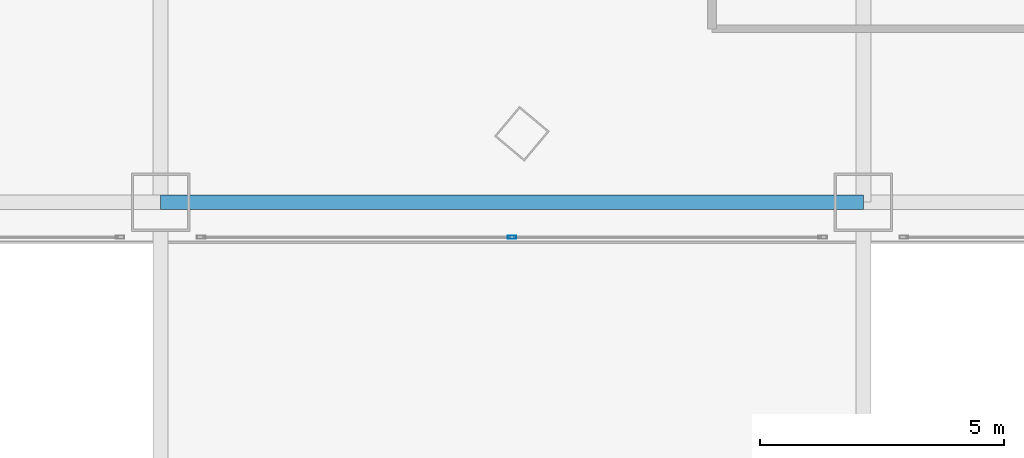
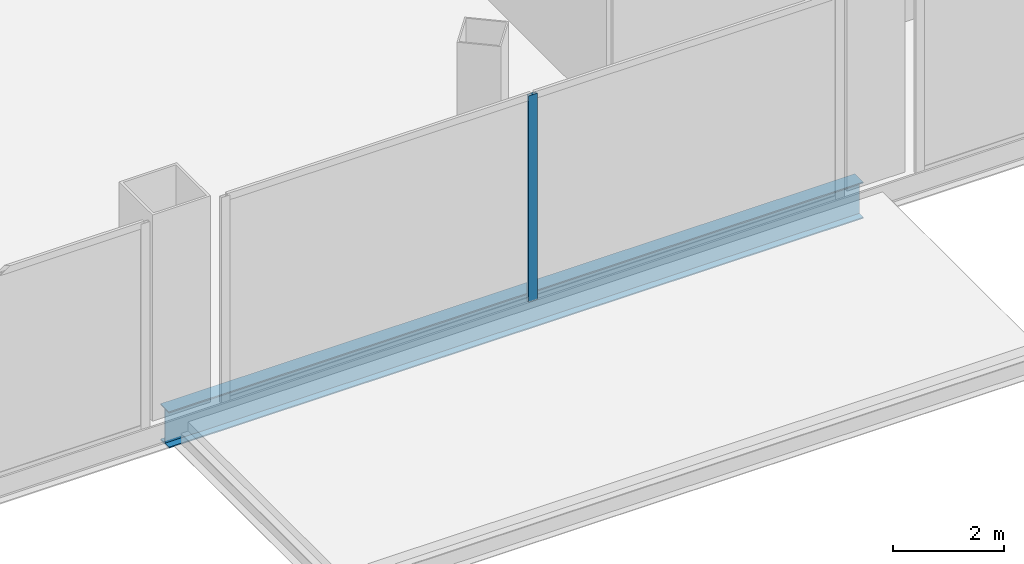
# One storey, part 6 of 42: 1 beam, 1 member, 1 element without a shape of its own.
"""IFC4 building model written with IfcOpenShell, lengths in metres."""

from ifc_helpers import new_model, si_unit, direction, frame, origin, origin_2d, place, context, subcontext, project, spatial, hollow_rectangle, i_section, extrude, source, transform, mapped, material, layer, layer_set, material_profile, profile_set, type_object, element, aggregate, save


model = new_model("IFC4")

# Units and contexts
model_context = context("Model", 3, precision=1e-05, world=origin(), true_north=direction((0.0, 1.0)))
body_context = subcontext(model_context, "Body", "Model", "MODEL_VIEW")
ifc_project = project(units=[si_unit("LENGTHUNIT", "METRE"), si_unit("AREAUNIT", "SQUARE_METRE"), si_unit("VOLUMEUNIT", "CUBIC_METRE"), si_unit("PLANEANGLEUNIT", "RADIAN"), si_unit("MASSUNIT", "GRAM", prefix="KILO"), si_unit("THERMODYNAMICTEMPERATUREUNIT", "KELVIN"), si_unit("POWERUNIT", "WATT")], contexts=[model_context])

# Site, building, storey
site_placement = place(None, origin())
site = spatial("IfcSite", under=ifc_project, at=site_placement, CompositionType="ELEMENT")
building_placement = place(site_placement, origin())
building = spatial("IfcBuilding", under=site, at=building_placement, Name="Yunzhuo Pagoda Commons", CompositionType="ELEMENT")
storey_placement = place(building_placement, frame((0.0, 0.0, 4.800048828125)))
storey = spatial("IfcBuildingStorey", under=building, at=storey_placement, Name="L02", CompositionType="ELEMENT", Elevation=4.800048828125)

# Beam
ifc_material_1 = material(Name="Structural steel Q355B", Category="steel")
ifc_material_profile_1 = material_profile(ifc_material_1, i_section(OverallWidth=0.300048828125, OverallDepth=0.800048828125, WebThickness=0.013916015625, FlangeThickness=0.02587890625, at=origin_2d()), Name="Structural steel Q355B")
ifc_profile_set_1 = profile_set([ifc_material_profile_1], Name="Structural steel Q355B")
beam_type = type_object("IfcBeamType", Name="B-PD2 Beam HN 800x300x14x26", PredefinedType="BEAM", material=ifc_profile_set_1)
shared_shape_1 = source(origin(), body_context, "Body", "SweptSolid", [
    extrude(i_section(OverallWidth=0.300048828125, OverallDepth=0.800048828125, WebThickness=0.013916015625, FlangeThickness=0.02587890625, at=origin_2d()), origin(), (0.0, 0.0, 1.0), 14.400146484375),
])
beam_placement = place(storey_placement, frame((19.199951171875, 6.800048828125, -0.679931640625), z_axis=(1.0, 0.0, 0.0), x_axis=(0.0, 1.0, 0.0)))
element("IfcBeam", 1, at=beam_placement, inside=storey, type_object=beam_type, Name="L02 podium girder EW 1.2", PredefinedType="BEAM", context=body_context, shape_type="MappedRepresentation", body=[
    mapped(shared_shape_1, transform((0.0, 0.0, 0.0), scale=1.0)),
])

# Curtain wall, member
ifc_material_2 = material(Name="Anodized aluminium 6063-T6", Category="aluminium")
ifc_layer = layer(ifc_material_2, 0.179931640625)
ifc_layer_set = layer_set([ifc_layer], Name="Anodized aluminium 6063-T6")
curtain_wall_type = type_object("IfcCurtainWallType", Name="CW-POD Waterfront Podium Curtain Wall", PredefinedType="NOTDEFINED", material=ifc_layer_set)
curtain_wall_placement = place(storey_placement, origin())
curtain_wall = element("IfcCurtainWall", 2, at=curtain_wall_placement, inside=storey, type_object=curtain_wall_type, Name="L02 curtain wall CW-L02-S2", PredefinedType="NOTDEFINED")
ifc_material_profile_2 = material_profile(ifc_material_2, hollow_rectangle(XDim=0.06494140625, YDim=0.179931640625, WallThickness=0.00390625, at=origin_2d()), Name="Anodized aluminium 6063-T6")
ifc_profile_set_2 = profile_set([ifc_material_profile_2], Name="Anodized aluminium 6063-T6")
member_type = type_object("IfcMemberType", Name="CW-POD-M Mullion RHS 180x65x4", PredefinedType="MULLION", material=ifc_profile_set_2)
shared_shape_2 = source(origin(), body_context, "Body", "SweptSolid", [
    extrude(hollow_rectangle(XDim=0.06494140625, YDim=0.179931640625, WallThickness=0.00390625, at=origin_2d()), origin(), (0.0, 0.0, 1.0), 4.52001953125),
])
member_placement = place(storey_placement, frame((26.39990234375, 6.080078125, 0.0), z_axis=(0.0, 0.0, 1.0), x_axis=(0.0, 1.0, 0.0)))
member = element("IfcMember", 3, at=member_placement, type_object=member_type, Name="CW mullion 2", PredefinedType="MULLION", context=body_context, shape_type="MappedRepresentation", body=[
    mapped(shared_shape_2, transform((0.0, 0.0, 0.0), scale=1.0)),
])
aggregate(curtain_wall, [member])

save(model, "model.ifc")
